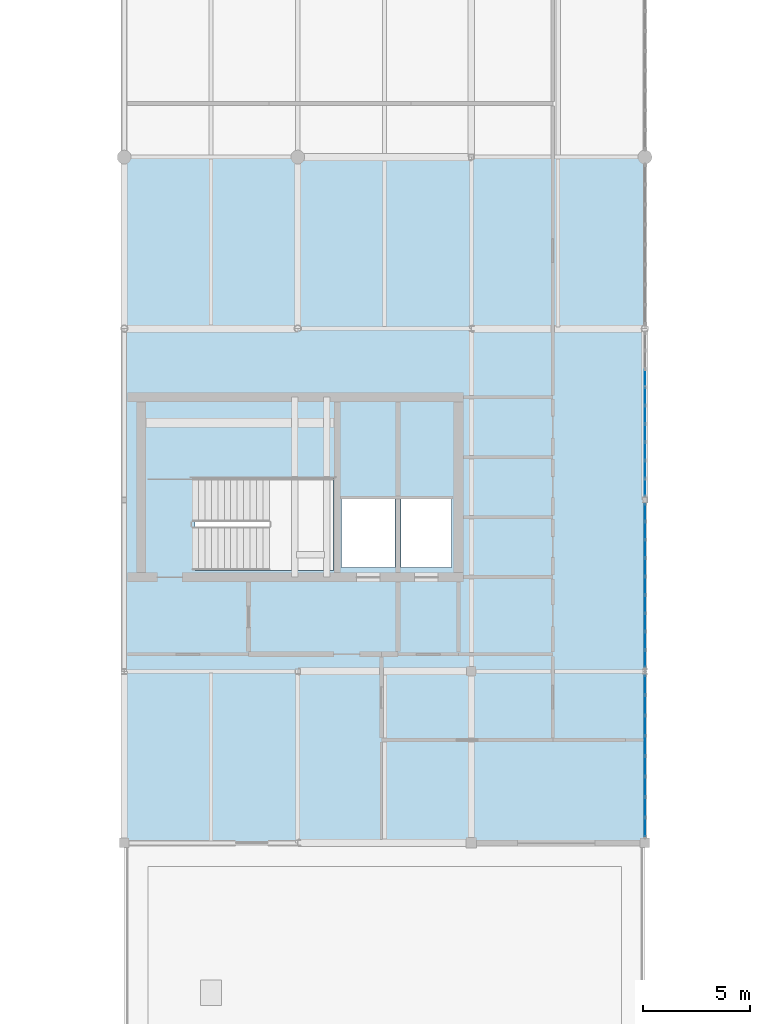
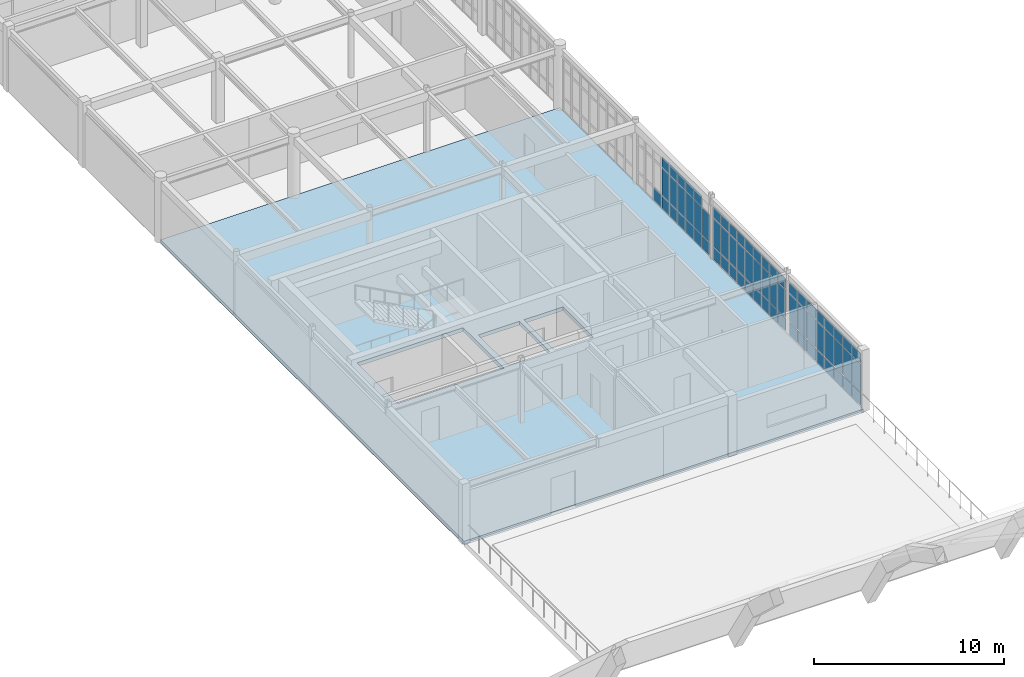
# One storey, part 22 of 36: 69 plates, 1 slab, 3 elements without a shape of their own.
"""IFC4 building model written with IfcOpenShell, lengths in metres."""

from ifc_helpers import new_model, si_unit, direction, frame, origin, origin_2d, place, context, subcontext, project, spatial, polyline, rectangle, outline, extrude, material, layer, layer_set, type_object, element, aggregate, save


model = new_model("IFC4")

# Units and contexts
model_context = context("Model", 3, precision=1e-05, world=origin(), true_north=direction((0.0, 1.0)))
body_context = subcontext(model_context, "Body", "Model", "MODEL_VIEW")
ifc_project = project(units=[si_unit("LENGTHUNIT", "METRE"), si_unit("AREAUNIT", "SQUARE_METRE"), si_unit("VOLUMEUNIT", "CUBIC_METRE"), si_unit("PLANEANGLEUNIT", "RADIAN"), si_unit("MASSUNIT", "GRAM", prefix="KILO")], contexts=[model_context])

# Site, building, storey
site_placement = place(None, origin())
site = spatial("IfcSite", under=ifc_project, at=site_placement, CompositionType="ELEMENT")
building_placement = place(site_placement, origin())
building = spatial("IfcBuilding", under=site, at=building_placement, Name="Tarnveldt Square Police Headquarters", CompositionType="ELEMENT")
storey_placement = place(building_placement, frame((0.0, 0.0, 24.89990234375)))
storey = spatial("IfcBuildingStorey", under=building, at=storey_placement, Name="L05", CompositionType="ELEMENT", Elevation=24.89990234375)

# Curtain wall, plates
ifc_material_1 = material(Name="Triple-glazed low-e laminated vision glass", Category="glass")
curtain_wall_type_1 = type_object("IfcCurtainWallType", Name="CW-UP-761x349", PredefinedType="USERDEFINED", material=ifc_material_1)
curtain_wall_1_placement = place(storey_placement, origin())
curtain_wall_1 = element("IfcCurtainWall", 1, at=curtain_wall_1_placement, inside=storey, type_object=curtain_wall_type_1, Name="L05 Curtain Wall CW-L05-083", ObjectType="GLAZED CURTAIN WALL", PredefinedType="USERDEFINED")
ifc_layer_1 = layer(ifc_material_1, 0.028076171875)
ifc_layer_set_1 = layer_set([ifc_layer_1], Name="Triple-glazed low-e laminated vision glass")
plate_type = type_object("IfcPlateType", Name="CWP-VIS-28", PredefinedType="CURTAIN_PANEL", material=ifc_layer_set_1)
plate_1_placement = place(storey_placement, frame((40.5, 48.732177734375, 0.06494140625), z_axis=(0.0, 0.0, 1.0), x_axis=(0.0, 1.0, 0.0)))
plate_1 = element("IfcPlate", 2, at=plate_1_placement, type_object=plate_type, Name="CW-UP41 panel 1.1", PredefinedType="CURTAIN_PANEL", context=body_context, shape_type="SweptSolid", body=[
    extrude(rectangle(XDim=0.8544921875, YDim=0.028076171875, at=origin_2d()), origin(), (0.0, 0.0, 1.0), 0.802490234375),
])
plate_2_placement = place(storey_placement, frame((40.5, 48.732177734375, 0.9326171875), z_axis=(0.0, 0.0, 1.0), x_axis=(0.0, 1.0, 0.0)))
plate_2 = element("IfcPlate", 3, at=plate_2_placement, type_object=plate_type, Name="CW-UP41 panel 1.2", PredefinedType="CURTAIN_PANEL", context=body_context, shape_type="SweptSolid", body=[
    extrude(rectangle(XDim=0.8544921875, YDim=0.028076171875, at=origin_2d()), origin(), (0.0, 0.0, 1.0), 1.77392578125),
])
plate_3_placement = place(storey_placement, frame((40.5, 48.732177734375, 2.771484375), z_axis=(0.0, 0.0, 1.0), x_axis=(0.0, 1.0, 0.0)))
plate_3 = element("IfcPlate", 4, at=plate_3_placement, type_object=plate_type, Name="CW-UP41 panel 1.3", PredefinedType="CURTAIN_PANEL", context=body_context, shape_type="SweptSolid", body=[
    extrude(rectangle(XDim=0.8544921875, YDim=0.028076171875, at=origin_2d()), origin(), (0.0, 0.0, 1.0), 0.652587890625),
])
plate_4_placement = place(storey_placement, frame((40.5, 49.667724609375, 0.06494140625), z_axis=(0.0, 0.0, 1.0), x_axis=(0.0, 1.0, 0.0)))
plate_4 = element("IfcPlate", 5, at=plate_4_placement, type_object=plate_type, Name="CW-UP41 panel 2.1", PredefinedType="CURTAIN_PANEL", context=body_context, shape_type="SweptSolid", body=[
    extrude(rectangle(XDim=0.886962890625, YDim=0.028076171875, at=origin_2d()), origin(), (0.0, 0.0, 1.0), 0.802490234375),
])
plate_5_placement = place(storey_placement, frame((40.5, 49.667724609375, 0.9326171875), z_axis=(0.0, 0.0, 1.0), x_axis=(0.0, 1.0, 0.0)))
plate_5 = element("IfcPlate", 6, at=plate_5_placement, type_object=plate_type, Name="CW-UP41 panel 2.2", PredefinedType="CURTAIN_PANEL", context=body_context, shape_type="SweptSolid", body=[
    extrude(rectangle(XDim=0.886962890625, YDim=0.028076171875, at=origin_2d()), origin(), (0.0, 0.0, 1.0), 1.77392578125),
])
plate_6_placement = place(storey_placement, frame((40.5, 49.667724609375, 2.771484375), z_axis=(0.0, 0.0, 1.0), x_axis=(0.0, 1.0, 0.0)))
plate_6 = element("IfcPlate", 7, at=plate_6_placement, type_object=plate_type, Name="CW-UP41 panel 2.3", PredefinedType="CURTAIN_PANEL", context=body_context, shape_type="SweptSolid", body=[
    extrude(rectangle(XDim=0.886962890625, YDim=0.028076171875, at=origin_2d()), origin(), (0.0, 0.0, 1.0), 0.652587890625),
])
plate_7_placement = place(storey_placement, frame((40.5, 50.61962890625, 0.06494140625), z_axis=(0.0, 0.0, 1.0), x_axis=(0.0, 1.0, 0.0)))
plate_7 = element("IfcPlate", 8, at=plate_7_placement, type_object=plate_type, Name="CW-UP41 panel 3.1", PredefinedType="CURTAIN_PANEL", context=body_context, shape_type="SweptSolid", body=[
    extrude(rectangle(XDim=0.886962890625, YDim=0.028076171875, at=origin_2d()), origin(), (0.0, 0.0, 1.0), 0.802490234375),
])
plate_8_placement = place(storey_placement, frame((40.5, 50.61962890625, 0.9326171875), z_axis=(0.0, 0.0, 1.0), x_axis=(0.0, 1.0, 0.0)))
plate_8 = element("IfcPlate", 9, at=plate_8_placement, type_object=plate_type, Name="CW-UP41 panel 3.2", PredefinedType="CURTAIN_PANEL", context=body_context, shape_type="SweptSolid", body=[
    extrude(rectangle(XDim=0.886962890625, YDim=0.028076171875, at=origin_2d()), origin(), (0.0, 0.0, 1.0), 1.77392578125),
])
plate_9_placement = place(storey_placement, frame((40.5, 50.61962890625, 2.771484375), z_axis=(0.0, 0.0, 1.0), x_axis=(0.0, 1.0, 0.0)))
plate_9 = element("IfcPlate", 10, at=plate_9_placement, type_object=plate_type, Name="CW-UP41 panel 3.3", PredefinedType="CURTAIN_PANEL", context=body_context, shape_type="SweptSolid", body=[
    extrude(rectangle(XDim=0.886962890625, YDim=0.028076171875, at=origin_2d()), origin(), (0.0, 0.0, 1.0), 0.652587890625),
])
plate_10_placement = place(storey_placement, frame((40.5, 51.571533203125, 0.06494140625), z_axis=(0.0, 0.0, 1.0), x_axis=(0.0, 1.0, 0.0)))
plate_10 = element("IfcPlate", 11, at=plate_10_placement, type_object=plate_type, Name="CW-UP41 panel 4.1", PredefinedType="CURTAIN_PANEL", context=body_context, shape_type="SweptSolid", body=[
    extrude(rectangle(XDim=0.886962890625, YDim=0.028076171875, at=origin_2d()), origin(), (0.0, 0.0, 1.0), 0.802490234375),
])
plate_11_placement = place(storey_placement, frame((40.5, 51.571533203125, 0.9326171875), z_axis=(0.0, 0.0, 1.0), x_axis=(0.0, 1.0, 0.0)))
plate_11 = element("IfcPlate", 12, at=plate_11_placement, type_object=plate_type, Name="CW-UP41 panel 4.2", PredefinedType="CURTAIN_PANEL", context=body_context, shape_type="SweptSolid", body=[
    extrude(rectangle(XDim=0.886962890625, YDim=0.028076171875, at=origin_2d()), origin(), (0.0, 0.0, 1.0), 1.77392578125),
])
plate_12_placement = place(storey_placement, frame((40.5, 51.571533203125, 2.771484375), z_axis=(0.0, 0.0, 1.0), x_axis=(0.0, 1.0, 0.0)))
plate_12 = element("IfcPlate", 13, at=plate_12_placement, type_object=plate_type, Name="CW-UP41 panel 4.3", PredefinedType="CURTAIN_PANEL", context=body_context, shape_type="SweptSolid", body=[
    extrude(rectangle(XDim=0.886962890625, YDim=0.028076171875, at=origin_2d()), origin(), (0.0, 0.0, 1.0), 0.652587890625),
])
plate_13_placement = place(storey_placement, frame((40.5, 52.5234375, 0.06494140625), z_axis=(0.0, 0.0, 1.0), x_axis=(0.0, 1.0, 0.0)))
plate_13 = element("IfcPlate", 14, at=plate_13_placement, type_object=plate_type, Name="CW-UP41 panel 5.1", PredefinedType="CURTAIN_PANEL", context=body_context, shape_type="SweptSolid", body=[
    extrude(rectangle(XDim=0.886962890625, YDim=0.028076171875, at=origin_2d()), origin(), (0.0, 0.0, 1.0), 0.802490234375),
])
plate_14_placement = place(storey_placement, frame((40.5, 52.5234375, 0.9326171875), z_axis=(0.0, 0.0, 1.0), x_axis=(0.0, 1.0, 0.0)))
plate_14 = element("IfcPlate", 15, at=plate_14_placement, type_object=plate_type, Name="CW-UP41 panel 5.2", PredefinedType="CURTAIN_PANEL", context=body_context, shape_type="SweptSolid", body=[
    extrude(rectangle(XDim=0.886962890625, YDim=0.028076171875, at=origin_2d()), origin(), (0.0, 0.0, 1.0), 1.77392578125),
])
plate_15_placement = place(storey_placement, frame((40.5, 52.5234375, 2.771484375), z_axis=(0.0, 0.0, 1.0), x_axis=(0.0, 1.0, 0.0)))
plate_15 = element("IfcPlate", 16, at=plate_15_placement, type_object=plate_type, Name="CW-UP41 panel 5.3", PredefinedType="CURTAIN_PANEL", context=body_context, shape_type="SweptSolid", body=[
    extrude(rectangle(XDim=0.886962890625, YDim=0.028076171875, at=origin_2d()), origin(), (0.0, 0.0, 1.0), 0.652587890625),
])
plate_16_placement = place(storey_placement, frame((40.5, 53.475341796875, 0.06494140625), z_axis=(0.0, 0.0, 1.0), x_axis=(0.0, 1.0, 0.0)))
plate_16 = element("IfcPlate", 17, at=plate_16_placement, type_object=plate_type, Name="CW-UP41 panel 6.1", PredefinedType="CURTAIN_PANEL", context=body_context, shape_type="SweptSolid", body=[
    extrude(rectangle(XDim=0.886962890625, YDim=0.028076171875, at=origin_2d()), origin(), (0.0, 0.0, 1.0), 0.802490234375),
])
plate_17_placement = place(storey_placement, frame((40.5, 53.475341796875, 0.9326171875), z_axis=(0.0, 0.0, 1.0), x_axis=(0.0, 1.0, 0.0)))
plate_17 = element("IfcPlate", 18, at=plate_17_placement, type_object=plate_type, Name="CW-UP41 panel 6.2", PredefinedType="CURTAIN_PANEL", context=body_context, shape_type="SweptSolid", body=[
    extrude(rectangle(XDim=0.886962890625, YDim=0.028076171875, at=origin_2d()), origin(), (0.0, 0.0, 1.0), 1.77392578125),
])
plate_18_placement = place(storey_placement, frame((40.5, 53.475341796875, 2.771484375), z_axis=(0.0, 0.0, 1.0), x_axis=(0.0, 1.0, 0.0)))
plate_18 = element("IfcPlate", 19, at=plate_18_placement, type_object=plate_type, Name="CW-UP41 panel 6.3", PredefinedType="CURTAIN_PANEL", context=body_context, shape_type="SweptSolid", body=[
    extrude(rectangle(XDim=0.886962890625, YDim=0.028076171875, at=origin_2d()), origin(), (0.0, 0.0, 1.0), 0.652587890625),
])
plate_19_placement = place(storey_placement, frame((40.5, 54.42724609375, 0.06494140625), z_axis=(0.0, 0.0, 1.0), x_axis=(0.0, 1.0, 0.0)))
plate_19 = element("IfcPlate", 20, at=plate_19_placement, type_object=plate_type, Name="CW-UP41 panel 7.1", PredefinedType="CURTAIN_PANEL", context=body_context, shape_type="SweptSolid", body=[
    extrude(rectangle(XDim=0.886962890625, YDim=0.028076171875, at=origin_2d()), origin(), (0.0, 0.0, 1.0), 0.802490234375),
])
plate_20_placement = place(storey_placement, frame((40.5, 54.42724609375, 0.9326171875), z_axis=(0.0, 0.0, 1.0), x_axis=(0.0, 1.0, 0.0)))
plate_20 = element("IfcPlate", 21, at=plate_20_placement, type_object=plate_type, Name="CW-UP41 panel 7.2", PredefinedType="CURTAIN_PANEL", context=body_context, shape_type="SweptSolid", body=[
    extrude(rectangle(XDim=0.886962890625, YDim=0.028076171875, at=origin_2d()), origin(), (0.0, 0.0, 1.0), 1.77392578125),
])
plate_21_placement = place(storey_placement, frame((40.5, 54.42724609375, 2.771484375), z_axis=(0.0, 0.0, 1.0), x_axis=(0.0, 1.0, 0.0)))
plate_21 = element("IfcPlate", 22, at=plate_21_placement, type_object=plate_type, Name="CW-UP41 panel 7.3", PredefinedType="CURTAIN_PANEL", context=body_context, shape_type="SweptSolid", body=[
    extrude(rectangle(XDim=0.886962890625, YDim=0.028076171875, at=origin_2d()), origin(), (0.0, 0.0, 1.0), 0.652587890625),
])
plate_22_placement = place(storey_placement, frame((40.5, 55.36279296875, 0.06494140625), z_axis=(0.0, 0.0, 1.0), x_axis=(0.0, 1.0, 0.0)))
plate_22 = element("IfcPlate", 23, at=plate_22_placement, type_object=plate_type, Name="CW-UP41 panel 8.1", PredefinedType="CURTAIN_PANEL", context=body_context, shape_type="SweptSolid", body=[
    extrude(rectangle(XDim=0.8544921875, YDim=0.028076171875, at=origin_2d()), origin(), (0.0, 0.0, 1.0), 0.802490234375),
])
plate_23_placement = place(storey_placement, frame((40.5, 55.36279296875, 0.9326171875), z_axis=(0.0, 0.0, 1.0), x_axis=(0.0, 1.0, 0.0)))
plate_23 = element("IfcPlate", 24, at=plate_23_placement, type_object=plate_type, Name="CW-UP41 panel 8.2", PredefinedType="CURTAIN_PANEL", context=body_context, shape_type="SweptSolid", body=[
    extrude(rectangle(XDim=0.8544921875, YDim=0.028076171875, at=origin_2d()), origin(), (0.0, 0.0, 1.0), 1.77392578125),
])
plate_24_placement = place(storey_placement, frame((40.5, 55.36279296875, 2.771484375), z_axis=(0.0, 0.0, 1.0), x_axis=(0.0, 1.0, 0.0)))
plate_24 = element("IfcPlate", 25, at=plate_24_placement, type_object=plate_type, Name="CW-UP41 panel 8.3", PredefinedType="CURTAIN_PANEL", context=body_context, shape_type="SweptSolid", body=[
    extrude(rectangle(XDim=0.8544921875, YDim=0.028076171875, at=origin_2d()), origin(), (0.0, 0.0, 1.0), 0.652587890625),
])
aggregate(curtain_wall_1, [plate_1, plate_2, plate_3, plate_4, plate_5, plate_6, plate_7, plate_8, plate_9, plate_10, plate_11, plate_12, plate_13, plate_14, plate_15, plate_16, plate_17, plate_18, plate_19, plate_20, plate_21, plate_22, plate_23, plate_24])

curtain_wall_type_2 = type_object("IfcCurtainWallType", Name="CW-UP-771x349", PredefinedType="USERDEFINED", material=ifc_material_1)
curtain_wall_2_placement = place(storey_placement, origin())
curtain_wall_2 = element("IfcCurtainWall", 26, at=curtain_wall_2_placement, inside=storey, type_object=curtain_wall_type_2, Name="L05 Curtain Wall CW-L05-084", ObjectType="GLAZED CURTAIN WALL", PredefinedType="USERDEFINED")
plate_25_placement = place(storey_placement, frame((40.5, 56.58984375, 0.06494140625), z_axis=(0.0, 0.0, 1.0), x_axis=(0.0, 1.0, 0.0)))
plate_25 = element("IfcPlate", 27, at=plate_25_placement, type_object=plate_type, Name="CW-UP42 panel 1.1", PredefinedType="CURTAIN_PANEL", context=body_context, shape_type="SweptSolid", body=[
    extrude(rectangle(XDim=0.759521484375, YDim=0.028076171875, at=origin_2d()), origin(), (0.0, 0.0, 1.0), 0.802490234375),
])
plate_26_placement = place(storey_placement, frame((40.5, 56.58984375, 0.9326171875), z_axis=(0.0, 0.0, 1.0), x_axis=(0.0, 1.0, 0.0)))
plate_26 = element("IfcPlate", 28, at=plate_26_placement, type_object=plate_type, Name="CW-UP42 panel 1.2", PredefinedType="CURTAIN_PANEL", context=body_context, shape_type="SweptSolid", body=[
    extrude(rectangle(XDim=0.759521484375, YDim=0.028076171875, at=origin_2d()), origin(), (0.0, 0.0, 1.0), 1.77392578125),
])
plate_27_placement = place(storey_placement, frame((40.5, 56.58984375, 2.771484375), z_axis=(0.0, 0.0, 1.0), x_axis=(0.0, 1.0, 0.0)))
plate_27 = element("IfcPlate", 29, at=plate_27_placement, type_object=plate_type, Name="CW-UP42 panel 1.3", PredefinedType="CURTAIN_PANEL", context=body_context, shape_type="SweptSolid", body=[
    extrude(rectangle(XDim=0.759521484375, YDim=0.028076171875, at=origin_2d()), origin(), (0.0, 0.0, 1.0), 0.652587890625),
])
plate_28_placement = place(storey_placement, frame((40.5, 57.430419921875, 0.06494140625), z_axis=(0.0, 0.0, 1.0), x_axis=(0.0, 1.0, 0.0)))
plate_28 = element("IfcPlate", 30, at=plate_28_placement, type_object=plate_type, Name="CW-UP42 panel 2.1", PredefinedType="CURTAIN_PANEL", context=body_context, shape_type="SweptSolid", body=[
    extrude(rectangle(XDim=0.7919921875, YDim=0.028076171875, at=origin_2d()), origin(), (0.0, 0.0, 1.0), 0.802490234375),
])
plate_29_placement = place(storey_placement, frame((40.5, 57.430419921875, 0.9326171875), z_axis=(0.0, 0.0, 1.0), x_axis=(0.0, 1.0, 0.0)))
plate_29 = element("IfcPlate", 31, at=plate_29_placement, type_object=plate_type, Name="CW-UP42 panel 2.2", PredefinedType="CURTAIN_PANEL", context=body_context, shape_type="SweptSolid", body=[
    extrude(rectangle(XDim=0.7919921875, YDim=0.028076171875, at=origin_2d()), origin(), (0.0, 0.0, 1.0), 1.77392578125),
])
plate_30_placement = place(storey_placement, frame((40.5, 57.430419921875, 2.771484375), z_axis=(0.0, 0.0, 1.0), x_axis=(0.0, 1.0, 0.0)))
plate_30 = element("IfcPlate", 32, at=plate_30_placement, type_object=plate_type, Name="CW-UP42 panel 2.3", PredefinedType="CURTAIN_PANEL", context=body_context, shape_type="SweptSolid", body=[
    extrude(rectangle(XDim=0.7919921875, YDim=0.028076171875, at=origin_2d()), origin(), (0.0, 0.0, 1.0), 0.652587890625),
])
plate_31_placement = place(storey_placement, frame((40.5, 58.28759765625, 0.06494140625), z_axis=(0.0, 0.0, 1.0), x_axis=(0.0, 1.0, 0.0)))
plate_31 = element("IfcPlate", 33, at=plate_31_placement, type_object=plate_type, Name="CW-UP42 panel 3.1", PredefinedType="CURTAIN_PANEL", context=body_context, shape_type="SweptSolid", body=[
    extrude(rectangle(XDim=0.7919921875, YDim=0.028076171875, at=origin_2d()), origin(), (0.0, 0.0, 1.0), 0.802490234375),
])
plate_32_placement = place(storey_placement, frame((40.5, 58.28759765625, 0.9326171875), z_axis=(0.0, 0.0, 1.0), x_axis=(0.0, 1.0, 0.0)))
plate_32 = element("IfcPlate", 34, at=plate_32_placement, type_object=plate_type, Name="CW-UP42 panel 3.2", PredefinedType="CURTAIN_PANEL", context=body_context, shape_type="SweptSolid", body=[
    extrude(rectangle(XDim=0.7919921875, YDim=0.028076171875, at=origin_2d()), origin(), (0.0, 0.0, 1.0), 1.77392578125),
])
plate_33_placement = place(storey_placement, frame((40.5, 58.28759765625, 2.771484375), z_axis=(0.0, 0.0, 1.0), x_axis=(0.0, 1.0, 0.0)))
plate_33 = element("IfcPlate", 35, at=plate_33_placement, type_object=plate_type, Name="CW-UP42 panel 3.3", PredefinedType="CURTAIN_PANEL", context=body_context, shape_type="SweptSolid", body=[
    extrude(rectangle(XDim=0.7919921875, YDim=0.028076171875, at=origin_2d()), origin(), (0.0, 0.0, 1.0), 0.652587890625),
])
plate_34_placement = place(storey_placement, frame((40.5, 59.14453125, 0.06494140625), z_axis=(0.0, 0.0, 1.0), x_axis=(0.0, 1.0, 0.0)))
plate_34 = element("IfcPlate", 36, at=plate_34_placement, type_object=plate_type, Name="CW-UP42 panel 4.1", PredefinedType="CURTAIN_PANEL", context=body_context, shape_type="SweptSolid", body=[
    extrude(rectangle(XDim=0.7919921875, YDim=0.028076171875, at=origin_2d()), origin(), (0.0, 0.0, 1.0), 0.802490234375),
])
plate_35_placement = place(storey_placement, frame((40.5, 59.14453125, 0.9326171875), z_axis=(0.0, 0.0, 1.0), x_axis=(0.0, 1.0, 0.0)))
plate_35 = element("IfcPlate", 37, at=plate_35_placement, type_object=plate_type, Name="CW-UP42 panel 4.2", PredefinedType="CURTAIN_PANEL", context=body_context, shape_type="SweptSolid", body=[
    extrude(rectangle(XDim=0.7919921875, YDim=0.028076171875, at=origin_2d()), origin(), (0.0, 0.0, 1.0), 1.77392578125),
])
plate_36_placement = place(storey_placement, frame((40.5, 59.14453125, 2.771484375), z_axis=(0.0, 0.0, 1.0), x_axis=(0.0, 1.0, 0.0)))
plate_36 = element("IfcPlate", 38, at=plate_36_placement, type_object=plate_type, Name="CW-UP42 panel 4.3", PredefinedType="CURTAIN_PANEL", context=body_context, shape_type="SweptSolid", body=[
    extrude(rectangle(XDim=0.7919921875, YDim=0.028076171875, at=origin_2d()), origin(), (0.0, 0.0, 1.0), 0.652587890625),
])
plate_37_placement = place(storey_placement, frame((40.5, 60.00146484375, 0.06494140625), z_axis=(0.0, 0.0, 1.0), x_axis=(0.0, 1.0, 0.0)))
plate_37 = element("IfcPlate", 39, at=plate_37_placement, type_object=plate_type, Name="CW-UP42 panel 5.1", PredefinedType="CURTAIN_PANEL", context=body_context, shape_type="SweptSolid", body=[
    extrude(rectangle(XDim=0.7919921875, YDim=0.028076171875, at=origin_2d()), origin(), (0.0, 0.0, 1.0), 0.802490234375),
])
plate_38_placement = place(storey_placement, frame((40.5, 60.00146484375, 0.9326171875), z_axis=(0.0, 0.0, 1.0), x_axis=(0.0, 1.0, 0.0)))
plate_38 = element("IfcPlate", 40, at=plate_38_placement, type_object=plate_type, Name="CW-UP42 panel 5.2", PredefinedType="CURTAIN_PANEL", context=body_context, shape_type="SweptSolid", body=[
    extrude(rectangle(XDim=0.7919921875, YDim=0.028076171875, at=origin_2d()), origin(), (0.0, 0.0, 1.0), 1.77392578125),
])
plate_39_placement = place(storey_placement, frame((40.5, 60.00146484375, 2.771484375), z_axis=(0.0, 0.0, 1.0), x_axis=(0.0, 1.0, 0.0)))
plate_39 = element("IfcPlate", 41, at=plate_39_placement, type_object=plate_type, Name="CW-UP42 panel 5.3", PredefinedType="CURTAIN_PANEL", context=body_context, shape_type="SweptSolid", body=[
    extrude(rectangle(XDim=0.7919921875, YDim=0.028076171875, at=origin_2d()), origin(), (0.0, 0.0, 1.0), 0.652587890625),
])
plate_40_placement = place(storey_placement, frame((40.5, 60.8583984375, 0.06494140625), z_axis=(0.0, 0.0, 1.0), x_axis=(0.0, 1.0, 0.0)))
plate_40 = element("IfcPlate", 42, at=plate_40_placement, type_object=plate_type, Name="CW-UP42 panel 6.1", PredefinedType="CURTAIN_PANEL", context=body_context, shape_type="SweptSolid", body=[
    extrude(rectangle(XDim=0.7919921875, YDim=0.028076171875, at=origin_2d()), origin(), (0.0, 0.0, 1.0), 0.802490234375),
])
plate_41_placement = place(storey_placement, frame((40.5, 60.8583984375, 0.9326171875), z_axis=(0.0, 0.0, 1.0), x_axis=(0.0, 1.0, 0.0)))
plate_41 = element("IfcPlate", 43, at=plate_41_placement, type_object=plate_type, Name="CW-UP42 panel 6.2", PredefinedType="CURTAIN_PANEL", context=body_context, shape_type="SweptSolid", body=[
    extrude(rectangle(XDim=0.7919921875, YDim=0.028076171875, at=origin_2d()), origin(), (0.0, 0.0, 1.0), 1.77392578125),
])
plate_42_placement = place(storey_placement, frame((40.5, 60.8583984375, 2.771484375), z_axis=(0.0, 0.0, 1.0), x_axis=(0.0, 1.0, 0.0)))
plate_42 = element("IfcPlate", 44, at=plate_42_placement, type_object=plate_type, Name="CW-UP42 panel 6.3", PredefinedType="CURTAIN_PANEL", context=body_context, shape_type="SweptSolid", body=[
    extrude(rectangle(XDim=0.7919921875, YDim=0.028076171875, at=origin_2d()), origin(), (0.0, 0.0, 1.0), 0.652587890625),
])
plate_43_placement = place(storey_placement, frame((40.5, 61.715576171875, 0.06494140625), z_axis=(0.0, 0.0, 1.0), x_axis=(0.0, 1.0, 0.0)))
plate_43 = element("IfcPlate", 45, at=plate_43_placement, type_object=plate_type, Name="CW-UP42 panel 7.1", PredefinedType="CURTAIN_PANEL", context=body_context, shape_type="SweptSolid", body=[
    extrude(rectangle(XDim=0.7919921875, YDim=0.028076171875, at=origin_2d()), origin(), (0.0, 0.0, 1.0), 0.802490234375),
])
plate_44_placement = place(storey_placement, frame((40.5, 61.715576171875, 0.9326171875), z_axis=(0.0, 0.0, 1.0), x_axis=(0.0, 1.0, 0.0)))
plate_44 = element("IfcPlate", 46, at=plate_44_placement, type_object=plate_type, Name="CW-UP42 panel 7.2", PredefinedType="CURTAIN_PANEL", context=body_context, shape_type="SweptSolid", body=[
    extrude(rectangle(XDim=0.7919921875, YDim=0.028076171875, at=origin_2d()), origin(), (0.0, 0.0, 1.0), 1.77392578125),
])
plate_45_placement = place(storey_placement, frame((40.5, 61.715576171875, 2.771484375), z_axis=(0.0, 0.0, 1.0), x_axis=(0.0, 1.0, 0.0)))
plate_45 = element("IfcPlate", 47, at=plate_45_placement, type_object=plate_type, Name="CW-UP42 panel 7.3", PredefinedType="CURTAIN_PANEL", context=body_context, shape_type="SweptSolid", body=[
    extrude(rectangle(XDim=0.7919921875, YDim=0.028076171875, at=origin_2d()), origin(), (0.0, 0.0, 1.0), 0.652587890625),
])
plate_46_placement = place(storey_placement, frame((40.5, 62.572509765625, 0.06494140625), z_axis=(0.0, 0.0, 1.0), x_axis=(0.0, 1.0, 0.0)))
plate_46 = element("IfcPlate", 48, at=plate_46_placement, type_object=plate_type, Name="CW-UP42 panel 8.1", PredefinedType="CURTAIN_PANEL", context=body_context, shape_type="SweptSolid", body=[
    extrude(rectangle(XDim=0.7919921875, YDim=0.028076171875, at=origin_2d()), origin(), (0.0, 0.0, 1.0), 0.802490234375),
])
plate_47_placement = place(storey_placement, frame((40.5, 62.572509765625, 0.9326171875), z_axis=(0.0, 0.0, 1.0), x_axis=(0.0, 1.0, 0.0)))
plate_47 = element("IfcPlate", 49, at=plate_47_placement, type_object=plate_type, Name="CW-UP42 panel 8.2", PredefinedType="CURTAIN_PANEL", context=body_context, shape_type="SweptSolid", body=[
    extrude(rectangle(XDim=0.7919921875, YDim=0.028076171875, at=origin_2d()), origin(), (0.0, 0.0, 1.0), 1.77392578125),
])
plate_48_placement = place(storey_placement, frame((40.5, 62.572509765625, 2.771484375), z_axis=(0.0, 0.0, 1.0), x_axis=(0.0, 1.0, 0.0)))
plate_48 = element("IfcPlate", 50, at=plate_48_placement, type_object=plate_type, Name="CW-UP42 panel 8.3", PredefinedType="CURTAIN_PANEL", context=body_context, shape_type="SweptSolid", body=[
    extrude(rectangle(XDim=0.7919921875, YDim=0.028076171875, at=origin_2d()), origin(), (0.0, 0.0, 1.0), 0.652587890625),
])
plate_49_placement = place(storey_placement, frame((40.5, 63.413330078125, 0.06494140625), z_axis=(0.0, 0.0, 1.0), x_axis=(0.0, 1.0, 0.0)))
plate_49 = element("IfcPlate", 51, at=plate_49_placement, type_object=plate_type, Name="CW-UP42 panel 9.1", PredefinedType="CURTAIN_PANEL", context=body_context, shape_type="SweptSolid", body=[
    extrude(rectangle(XDim=0.759521484375, YDim=0.028076171875, at=origin_2d()), origin(), (0.0, 0.0, 1.0), 0.802490234375),
])
plate_50_placement = place(storey_placement, frame((40.5, 63.413330078125, 0.9326171875), z_axis=(0.0, 0.0, 1.0), x_axis=(0.0, 1.0, 0.0)))
plate_50 = element("IfcPlate", 52, at=plate_50_placement, type_object=plate_type, Name="CW-UP42 panel 9.2", PredefinedType="CURTAIN_PANEL", context=body_context, shape_type="SweptSolid", body=[
    extrude(rectangle(XDim=0.759521484375, YDim=0.028076171875, at=origin_2d()), origin(), (0.0, 0.0, 1.0), 1.77392578125),
])
plate_51_placement = place(storey_placement, frame((40.5, 63.413330078125, 2.771484375), z_axis=(0.0, 0.0, 1.0), x_axis=(0.0, 1.0, 0.0)))
plate_51 = element("IfcPlate", 53, at=plate_51_placement, type_object=plate_type, Name="CW-UP42 panel 9.3", PredefinedType="CURTAIN_PANEL", context=body_context, shape_type="SweptSolid", body=[
    extrude(rectangle(XDim=0.759521484375, YDim=0.028076171875, at=origin_2d()), origin(), (0.0, 0.0, 1.0), 0.652587890625),
])
aggregate(curtain_wall_2, [plate_25, plate_26, plate_27, plate_28, plate_29, plate_30, plate_31, plate_32, plate_33, plate_34, plate_35, plate_36, plate_37, plate_38, plate_39, plate_40, plate_41, plate_42, plate_43, plate_44, plate_45, plate_46, plate_47, plate_48, plate_49, plate_50, plate_51])

curtain_wall_type_3 = type_object("IfcCurtainWallType", Name="CW-UP-768x345", PredefinedType="USERDEFINED", material=ifc_material_1)
curtain_wall_3_placement = place(storey_placement, origin())
curtain_wall_3 = element("IfcCurtainWall", 54, at=curtain_wall_3_placement, inside=storey, type_object=curtain_wall_type_3, Name="L05 Curtain Wall CW-L05-085", ObjectType="GLAZED CURTAIN WALL", PredefinedType="USERDEFINED")
plate_52_placement = place(storey_placement, frame((40.5, 64.5849609375, 0.06494140625), z_axis=(0.0, 0.0, 1.0), x_axis=(0.0, 1.0, 0.0)))
plate_52 = element("IfcPlate", 55, at=plate_52_placement, type_object=plate_type, Name="CW-UP43 panel 1.1", PredefinedType="CURTAIN_PANEL", context=body_context, shape_type="SweptSolid", body=[
    extrude(rectangle(XDim=0.755859375, YDim=0.028076171875, at=origin_2d()), origin(), (0.0, 0.0, 1.0), 0.802490234375),
])
plate_53_placement = place(storey_placement, frame((40.5, 64.5849609375, 0.9326171875), z_axis=(0.0, 0.0, 1.0), x_axis=(0.0, 1.0, 0.0)))
plate_53 = element("IfcPlate", 56, at=plate_53_placement, type_object=plate_type, Name="CW-UP43 panel 1.2", PredefinedType="CURTAIN_PANEL", context=body_context, shape_type="SweptSolid", body=[
    extrude(rectangle(XDim=0.755859375, YDim=0.028076171875, at=origin_2d()), origin(), (0.0, 0.0, 1.0), 1.737060546875),
])
plate_54_placement = place(storey_placement, frame((40.5, 65.422119140625, 0.06494140625), z_axis=(0.0, 0.0, 1.0), x_axis=(0.0, 1.0, 0.0)))
plate_54 = element("IfcPlate", 57, at=plate_54_placement, type_object=plate_type, Name="CW-UP43 panel 2.1", PredefinedType="CURTAIN_PANEL", context=body_context, shape_type="SweptSolid", body=[
    extrude(rectangle(XDim=0.788330078125, YDim=0.028076171875, at=origin_2d()), origin(), (0.0, 0.0, 1.0), 0.802490234375),
])
plate_55_placement = place(storey_placement, frame((40.5, 65.422119140625, 0.9326171875), z_axis=(0.0, 0.0, 1.0), x_axis=(0.0, 1.0, 0.0)))
plate_55 = element("IfcPlate", 58, at=plate_55_placement, type_object=plate_type, Name="CW-UP43 panel 2.2", PredefinedType="CURTAIN_PANEL", context=body_context, shape_type="SweptSolid", body=[
    extrude(rectangle(XDim=0.788330078125, YDim=0.028076171875, at=origin_2d()), origin(), (0.0, 0.0, 1.0), 1.737060546875),
])
plate_56_placement = place(storey_placement, frame((40.5, 65.422119140625, 2.734375), z_axis=(0.0, 0.0, 1.0), x_axis=(0.0, 1.0, 0.0)))
plate_56 = element("IfcPlate", 59, at=plate_56_placement, type_object=plate_type, Name="CW-UP43 panel 2.3", PredefinedType="CURTAIN_PANEL", context=body_context, shape_type="SweptSolid", body=[
    extrude(rectangle(XDim=0.788330078125, YDim=0.028076171875, at=origin_2d()), origin(), (0.0, 0.0, 1.0), 0.652587890625),
])
plate_57_placement = place(storey_placement, frame((40.5, 66.275634765625, 0.06494140625), z_axis=(0.0, 0.0, 1.0), x_axis=(0.0, 1.0, 0.0)))
plate_57 = element("IfcPlate", 60, at=plate_57_placement, type_object=plate_type, Name="CW-UP43 panel 3.1", PredefinedType="CURTAIN_PANEL", context=body_context, shape_type="SweptSolid", body=[
    extrude(rectangle(XDim=0.788330078125, YDim=0.028076171875, at=origin_2d()), origin(), (0.0, 0.0, 1.0), 0.802490234375),
])
plate_58_placement = place(storey_placement, frame((40.5, 66.275634765625, 0.9326171875), z_axis=(0.0, 0.0, 1.0), x_axis=(0.0, 1.0, 0.0)))
plate_58 = element("IfcPlate", 61, at=plate_58_placement, type_object=plate_type, Name="CW-UP43 panel 3.2", PredefinedType="CURTAIN_PANEL", context=body_context, shape_type="SweptSolid", body=[
    extrude(rectangle(XDim=0.788330078125, YDim=0.028076171875, at=origin_2d()), origin(), (0.0, 0.0, 1.0), 1.737060546875),
])
plate_59_placement = place(storey_placement, frame((40.5, 66.275634765625, 2.734375), z_axis=(0.0, 0.0, 1.0), x_axis=(0.0, 1.0, 0.0)))
plate_59 = element("IfcPlate", 62, at=plate_59_placement, type_object=plate_type, Name="CW-UP43 panel 3.3", PredefinedType="CURTAIN_PANEL", context=body_context, shape_type="SweptSolid", body=[
    extrude(rectangle(XDim=0.788330078125, YDim=0.028076171875, at=origin_2d()), origin(), (0.0, 0.0, 1.0), 0.652587890625),
])
plate_60_placement = place(storey_placement, frame((40.5, 67.129150390625, 0.06494140625), z_axis=(0.0, 0.0, 1.0), x_axis=(0.0, 1.0, 0.0)))
plate_60 = element("IfcPlate", 63, at=plate_60_placement, type_object=plate_type, Name="CW-UP43 panel 4.1", PredefinedType="CURTAIN_PANEL", context=body_context, shape_type="SweptSolid", body=[
    extrude(rectangle(XDim=0.788330078125, YDim=0.028076171875, at=origin_2d()), origin(), (0.0, 0.0, 1.0), 0.802490234375),
])
plate_61_placement = place(storey_placement, frame((40.5, 67.129150390625, 0.9326171875), z_axis=(0.0, 0.0, 1.0), x_axis=(0.0, 1.0, 0.0)))
plate_61 = element("IfcPlate", 64, at=plate_61_placement, type_object=plate_type, Name="CW-UP43 panel 4.2", PredefinedType="CURTAIN_PANEL", context=body_context, shape_type="SweptSolid", body=[
    extrude(rectangle(XDim=0.788330078125, YDim=0.028076171875, at=origin_2d()), origin(), (0.0, 0.0, 1.0), 1.737060546875),
])
plate_62_placement = place(storey_placement, frame((40.5, 67.129150390625, 2.734375), z_axis=(0.0, 0.0, 1.0), x_axis=(0.0, 1.0, 0.0)))
plate_62 = element("IfcPlate", 65, at=plate_62_placement, type_object=plate_type, Name="CW-UP43 panel 4.3", PredefinedType="CURTAIN_PANEL", context=body_context, shape_type="SweptSolid", body=[
    extrude(rectangle(XDim=0.788330078125, YDim=0.028076171875, at=origin_2d()), origin(), (0.0, 0.0, 1.0), 0.652587890625),
])
plate_63_placement = place(storey_placement, frame((40.5, 67.982421875, 0.06494140625), z_axis=(0.0, 0.0, 1.0), x_axis=(0.0, 1.0, 0.0)))
plate_63 = element("IfcPlate", 66, at=plate_63_placement, type_object=plate_type, Name="CW-UP43 panel 5.1", PredefinedType="CURTAIN_PANEL", context=body_context, shape_type="SweptSolid", body=[
    extrude(rectangle(XDim=0.788330078125, YDim=0.028076171875, at=origin_2d()), origin(), (0.0, 0.0, 1.0), 0.802490234375),
])
plate_64_placement = place(storey_placement, frame((40.5, 67.982421875, 0.9326171875), z_axis=(0.0, 0.0, 1.0), x_axis=(0.0, 1.0, 0.0)))
plate_64 = element("IfcPlate", 67, at=plate_64_placement, type_object=plate_type, Name="CW-UP43 panel 5.2", PredefinedType="CURTAIN_PANEL", context=body_context, shape_type="SweptSolid", body=[
    extrude(rectangle(XDim=0.788330078125, YDim=0.028076171875, at=origin_2d()), origin(), (0.0, 0.0, 1.0), 1.737060546875),
])
plate_65_placement = place(storey_placement, frame((40.5, 67.982421875, 2.734375), z_axis=(0.0, 0.0, 1.0), x_axis=(0.0, 1.0, 0.0)))
plate_65 = element("IfcPlate", 68, at=plate_65_placement, type_object=plate_type, Name="CW-UP43 panel 5.3", PredefinedType="CURTAIN_PANEL", context=body_context, shape_type="SweptSolid", body=[
    extrude(rectangle(XDim=0.788330078125, YDim=0.028076171875, at=origin_2d()), origin(), (0.0, 0.0, 1.0), 0.652587890625),
])
plate_66_placement = place(storey_placement, frame((40.5, 68.8359375, 0.06494140625), z_axis=(0.0, 0.0, 1.0), x_axis=(0.0, 1.0, 0.0)))
plate_66 = element("IfcPlate", 69, at=plate_66_placement, type_object=plate_type, Name="CW-UP43 panel 6.1", PredefinedType="CURTAIN_PANEL", context=body_context, shape_type="SweptSolid", body=[
    extrude(rectangle(XDim=0.788330078125, YDim=0.028076171875, at=origin_2d()), origin(), (0.0, 0.0, 1.0), 0.802490234375),
])
plate_67_placement = place(storey_placement, frame((40.5, 68.8359375, 0.9326171875), z_axis=(0.0, 0.0, 1.0), x_axis=(0.0, 1.0, 0.0)))
plate_67 = element("IfcPlate", 70, at=plate_67_placement, type_object=plate_type, Name="CW-UP43 panel 6.2", PredefinedType="CURTAIN_PANEL", context=body_context, shape_type="SweptSolid", body=[
    extrude(rectangle(XDim=0.788330078125, YDim=0.028076171875, at=origin_2d()), origin(), (0.0, 0.0, 1.0), 1.737060546875),
])
plate_68_placement = place(storey_placement, frame((40.5, 68.8359375, 2.734375), z_axis=(0.0, 0.0, 1.0), x_axis=(0.0, 1.0, 0.0)))
plate_68 = element("IfcPlate", 71, at=plate_68_placement, type_object=plate_type, Name="CW-UP43 panel 6.3", PredefinedType="CURTAIN_PANEL", context=body_context, shape_type="SweptSolid", body=[
    extrude(rectangle(XDim=0.788330078125, YDim=0.028076171875, at=origin_2d()), origin(), (0.0, 0.0, 1.0), 0.652587890625),
])
plate_69_placement = place(storey_placement, frame((40.5, 69.689453125, 0.06494140625), z_axis=(0.0, 0.0, 1.0), x_axis=(0.0, 1.0, 0.0)))
plate_69 = element("IfcPlate", 72, at=plate_69_placement, type_object=plate_type, Name="CW-UP43 panel 7.1", PredefinedType="CURTAIN_PANEL", context=body_context, shape_type="SweptSolid", body=[
    extrude(rectangle(XDim=0.788330078125, YDim=0.028076171875, at=origin_2d()), origin(), (0.0, 0.0, 1.0), 0.802490234375),
])
aggregate(curtain_wall_3, [plate_52, plate_53, plate_54, plate_55, plate_56, plate_57, plate_58, plate_59, plate_60, plate_61, plate_62, plate_63, plate_64, plate_65, plate_66, plate_67, plate_68, plate_69])

# Slab
ifc_material_2 = material(Name="Concrete 40 MPa", Category="concrete")
ifc_layer_2 = layer(ifc_material_2, 0.239990234375)
ifc_layer_set_2 = layer_set([ifc_layer_2], Name="Concrete 40 MPa")
slab_type = type_object("IfcSlabType", Name="SL-UPP-240", PredefinedType="FLOOR", material=ifc_layer_set_2)
slab_placement = place(storey_placement, frame((0.0, 0.0, -0.239990234375)))
element("IfcSlab", 73, at=slab_placement, inside=storey, type_object=slab_type, Name="L05 Structural Floor Slab L05-V5-1", PredefinedType="FLOOR", context=body_context, shape_type="SweptSolid", body=[
    extrude(outline(polyline([(40.5, 48.0), (16.199951171875, 48.0), (16.199951171875, 80.0), (40.5, 80.0), (40.5, 48.0)]), holes=[polyline([(26.330078125, 60.85009765625), (28.8349609375, 60.85009765625), (28.8349609375, 64.050048828125), (26.330078125, 64.050048828125), (26.330078125, 60.85009765625)]), polyline([(29.114990234375, 60.85009765625), (31.47998046875, 60.85009765625), (31.47998046875, 64.050048828125), (29.114990234375, 64.050048828125), (29.114990234375, 60.85009765625)]), polyline([(19.510009765625, 60.719970703125), (25.969970703125, 60.719970703125), (25.969970703125, 65.02001953125), (19.510009765625, 65.02001953125), (19.510009765625, 60.719970703125)])]), origin(), (0.0, 0.0, 1.0), 0.239990234375),
])

save(model, "model.ifc")
